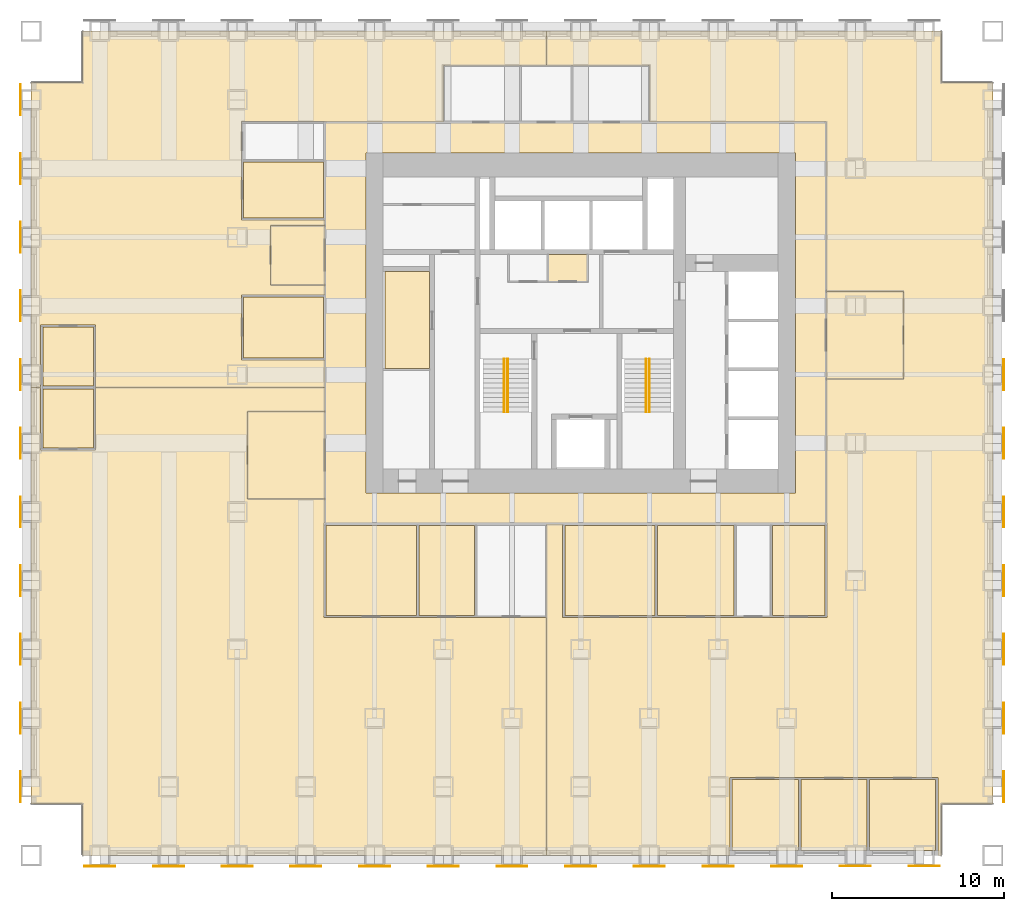
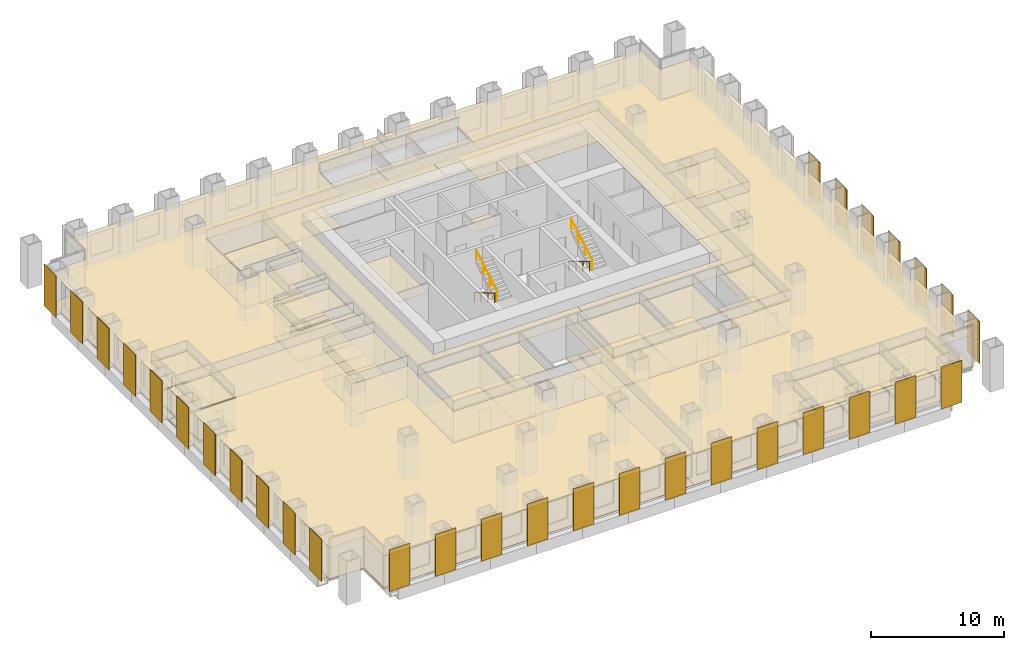
# One storey, part 14 of 15: 40 coverings, 31 shading devices, 4 railings.
"""IFC4 building model written with IfcOpenShell, lengths in metres."""

from ifc_helpers import new_model, si_unit, direction, frame, origin, origin_2d, place, context, subcontext, project, spatial, polyline, rectangle, circle, outline, extrude, material, layer, layer_set, type_object, element, save


model = new_model("IFC4")

# Units and contexts
model_context = context("Model", 3, precision=1e-05, world=origin(), true_north=direction((0.0, 1.0)))
body_context = subcontext(model_context, "Body", "Model", "MODEL_VIEW")
ifc_project = project(units=[si_unit("LENGTHUNIT", "METRE"), si_unit("AREAUNIT", "SQUARE_METRE"), si_unit("VOLUMEUNIT", "CUBIC_METRE"), si_unit("PLANEANGLEUNIT", "RADIAN"), si_unit("MASSUNIT", "GRAM", prefix="KILO")], contexts=[model_context])

# Site, building, storey
site_placement = place(None, origin())
site = spatial("IfcSite", under=ifc_project, at=site_placement, CompositionType="ELEMENT")
building_placement = place(site_placement, origin())
building = spatial("IfcBuilding", under=site, at=building_placement, Name="Rimbunsela Tower", CompositionType="ELEMENT")
storey_placement = place(building_placement, frame((0.0, 0.0, 35.0)))
storey = spatial("IfcBuildingStorey", under=building, at=storey_placement, Name="L08", CompositionType="ELEMENT", Elevation=35.0)

# Coverings
ifc_material_1 = material(Name="Nylon carpet tile", Category="textile")
ifc_layer_1 = layer(ifc_material_1, 0.010009765625)
ifc_layer_set_1 = layer_set([ifc_layer_1], Name="Carpet tile 10")
covering_type_1 = type_object("IfcCoveringType", Name="Carpet tile 10", PredefinedType="FLOORING", material=ifc_layer_set_1)
covering_1_placement = place(storey_placement, origin())
element("IfcCovering", 1, at=covering_1_placement, inside=storey, type_object=covering_type_1, Name="Floor finish Open office", PredefinedType="FLOORING", context=body_context, shape_type="SweptSolid", body=[
    extrude(outline(polyline([(20.550048828125, 9.85009765625), (23.85009765625, 9.85009765625), (23.949951171875, 9.85009765625), (27.9990234375, 9.85009765625), (27.9990234375, -4.0), (15.10009765625, -4.0), (1.0, -4.0), (1.0, -1.0), (-2.0, -1.0), (-2.0, 23.2490234375), (-1.449951171875, 23.2490234375), (-1.449951171875, 19.60009765625), (1.75, 19.60009765625), (1.75, 23.2490234375), (15.10009765625, 23.2490234375), (15.10009765625, 21.85009765625), (10.60009765625, 21.85009765625), (10.60009765625, 16.75), (15.10009765625, 16.75), (15.10009765625, 15.35009765625), (15.050048828125, 15.35009765625), (15.050048828125, 9.85009765625), (15.10009765625, 9.85009765625), (20.449951171875, 9.85009765625), (20.550048828125, 9.85009765625)])), origin(), (0.0, 0.0, 1.0), 0.010009765625),
])
covering_2_placement = place(storey_placement, origin())
element("IfcCovering", 2, at=covering_2_placement, inside=storey, type_object=covering_type_1, Name="Floor finish Open office", PredefinedType="FLOORING", context=body_context, shape_type="SweptSolid", body=[
    extrude(outline(polyline([(10.25, 36.5), (10.25, 36.39990234375), (10.25, 33.0), (15.10009765625, 33.0), (15.10009765625, 32.675048828125), (11.949951171875, 32.675048828125), (11.949951171875, 29.22509765625), (15.10009765625, 29.22509765625), (15.10009765625, 28.64990234375), (10.25, 28.64990234375), (10.25, 24.85009765625), (15.10009765625, 24.85009765625), (15.10009765625, 23.2509765625), (1.75, 23.2509765625), (1.75, 26.89990234375), (-1.449951171875, 26.89990234375), (-1.449951171875, 23.2509765625), (-2.0, 23.2509765625), (-2.0, 41.0), (1.0, 41.0), (1.0, 44.0), (15.10009765625, 44.0), (27.9990234375, 44.0), (27.9990234375, 42.0), (22.0, 42.0), (22.0, 38.699951171875), (15.14990234375, 38.699951171875), (15.14990234375, 38.75), (15.10009765625, 38.75), (10.25, 38.75), (10.25, 36.5)])), origin(), (0.0, 0.0, 1.0), 0.010009765625),
])
covering_3_placement = place(storey_placement, origin())
element("IfcCovering", 3, at=covering_3_placement, inside=storey, type_object=covering_type_1, Name="Floor finish Open office", PredefinedType="FLOORING", context=body_context, shape_type="SweptSolid", body=[
    extrude(outline(polyline([(42.699951171875, 0.550048828125), (38.699951171875, 0.550048828125), (38.699951171875, -4.0), (28.0009765625, -4.0), (28.0009765625, 15.300048828125), (28.948974609375, 15.300048828125), (28.948974609375, 9.85009765625), (34.34912109375, 9.85009765625), (34.448974609375, 9.85009765625), (38.948974609375, 9.85009765625), (39.049072265625, 9.85009765625), (41.049072265625, 9.85009765625), (41.14892578125, 9.85009765625), (44.300048828125, 9.85009765625), (44.35009765625, 9.85009765625), (44.35009765625, 15.35009765625), (44.300048828125, 15.35009765625), (44.300048828125, 23.75), (48.800048828125, 23.75), (48.800048828125, 28.85009765625), (44.300048828125, 28.85009765625), (44.300048828125, 38.699951171875), (34.0, 38.699951171875), (34.0, 42.0), (28.0009765625, 42.0), (28.0009765625, 44.0), (44.300048828125, 44.0), (51.0, 44.0), (51.0, 41.0), (54.0, 41.0), (54.0, -1.0), (51.0, -1.0), (51.0, -4.0), (50.800048828125, -4.0), (50.800048828125, 0.550048828125), (46.800048828125, 0.550048828125), (46.699951171875, 0.550048828125), (44.300048828125, 0.550048828125), (42.800048828125, 0.550048828125), (42.699951171875, 0.550048828125)])), origin(), (0.0, 0.0, 1.0), 0.010009765625),
])
covering_4_placement = place(storey_placement, origin())
element("IfcCovering", 4, at=covering_4_placement, inside=storey, type_object=covering_type_1, Name="Floor finish Reception", PredefinedType="FLOORING", context=body_context, shape_type="SweptSolid", body=[
    extrude(outline(polyline([(15.10009765625, 16.75), (15.10009765625, 21.85009765625), (10.60009765625, 21.85009765625), (10.60009765625, 16.75), (15.10009765625, 16.75)])), origin(), (0.0, 0.0, 1.0), 0.010009765625),
])
covering_5_placement = place(storey_placement, origin())
element("IfcCovering", 5, at=covering_5_placement, inside=storey, type_object=covering_type_1, Name="Floor finish Reception", PredefinedType="FLOORING", context=body_context, shape_type="SweptSolid", body=[
    extrude(outline(polyline([(15.10009765625, 29.22509765625), (15.10009765625, 32.675048828125), (11.949951171875, 32.675048828125), (11.949951171875, 29.22509765625), (15.10009765625, 29.22509765625)])), origin(), (0.0, 0.0, 1.0), 0.010009765625),
])
covering_6_placement = place(storey_placement, origin())
element("IfcCovering", 6, at=covering_6_placement, inside=storey, type_object=covering_type_1, Name="Floor finish Reception", PredefinedType="FLOORING", context=body_context, shape_type="SweptSolid", body=[
    extrude(outline(polyline([(48.800048828125, 23.75), (48.800048828125, 28.85009765625), (44.300048828125, 28.85009765625), (44.300048828125, 23.75), (48.800048828125, 23.75)])), origin(), (0.0, 0.0, 1.0), 0.010009765625),
])
covering_7_placement = place(storey_placement, origin())
element("IfcCovering", 7, at=covering_7_placement, inside=storey, type_object=covering_type_1, Name="Floor finish Executive office", PredefinedType="FLOORING", context=body_context, shape_type="SweptSolid", body=[
    extrude(outline(polyline([(42.675048828125, -3.699951171875), (42.675048828125, 0.425048828125), (38.824951171875, 0.425048828125), (38.824951171875, -3.699951171875), (42.675048828125, -3.699951171875)])), origin(), (0.0, 0.0, 1.0), 0.010009765625),
])
covering_8_placement = place(storey_placement, origin())
element("IfcCovering", 8, at=covering_8_placement, inside=storey, type_object=covering_type_1, Name="Floor finish Executive office", PredefinedType="FLOORING", context=body_context, shape_type="SweptSolid", body=[
    extrude(outline(polyline([(46.675048828125, -3.699951171875), (46.675048828125, 0.425048828125), (42.824951171875, 0.425048828125), (42.824951171875, -3.699951171875), (46.675048828125, -3.699951171875)])), origin(), (0.0, 0.0, 1.0), 0.010009765625),
])
covering_9_placement = place(storey_placement, origin())
element("IfcCovering", 9, at=covering_9_placement, inside=storey, type_object=covering_type_1, Name="Floor finish Executive office", PredefinedType="FLOORING", context=body_context, shape_type="SweptSolid", body=[
    extrude(outline(polyline([(50.675048828125, -3.699951171875), (50.675048828125, 0.425048828125), (46.824951171875, 0.425048828125), (46.824951171875, -3.699951171875), (50.675048828125, -3.699951171875)])), origin(), (0.0, 0.0, 1.0), 0.010009765625),
])
covering_10_placement = place(storey_placement, origin())
element("IfcCovering", 10, at=covering_10_placement, inside=storey, type_object=covering_type_1, Name="Floor finish Meeting room", PredefinedType="FLOORING", context=body_context, shape_type="SweptSolid", body=[
    extrude(outline(polyline([(20.425048828125, 9.97509765625), (20.425048828125, 15.22509765625), (15.175048828125, 15.22509765625), (15.175048828125, 9.97509765625), (20.425048828125, 9.97509765625)])), origin(), (0.0, 0.0, 1.0), 0.010009765625),
])
covering_11_placement = place(storey_placement, origin())
element("IfcCovering", 11, at=covering_11_placement, inside=storey, type_object=covering_type_1, Name="Floor finish Pantry", PredefinedType="FLOORING", context=body_context, shape_type="SweptSolid", body=[
    extrude(outline(polyline([(23.824951171875, 9.97509765625), (23.824951171875, 15.22509765625), (20.574951171875, 15.22509765625), (20.574951171875, 9.97509765625), (23.824951171875, 9.97509765625)])), origin(), (0.0, 0.0, 1.0), 0.010009765625),
])
covering_12_placement = place(storey_placement, origin())
element("IfcCovering", 12, at=covering_12_placement, inside=storey, type_object=covering_type_1, Name="Floor finish Pantry", PredefinedType="FLOORING", context=body_context, shape_type="SweptSolid", body=[
    extrude(outline(polyline([(15.02490234375, 33.125), (15.02490234375, 36.375), (10.375, 36.375), (10.375, 33.125), (15.02490234375, 33.125)])), origin(), (0.0, 0.0, 1.0), 0.010009765625),
])
covering_13_placement = place(storey_placement, origin())
element("IfcCovering", 13, at=covering_13_placement, inside=storey, type_object=covering_type_1, Name="Floor finish Meeting room", PredefinedType="FLOORING", context=body_context, shape_type="SweptSolid", body=[
    extrude(outline(polyline([(34.323974609375, 9.97509765625), (34.323974609375, 15.22509765625), (29.073974609375, 15.22509765625), (29.073974609375, 9.97509765625), (34.323974609375, 9.97509765625)])), origin(), (0.0, 0.0, 1.0), 0.010009765625),
])
covering_14_placement = place(storey_placement, origin())
element("IfcCovering", 14, at=covering_14_placement, inside=storey, type_object=covering_type_1, Name="Floor finish Pantry", PredefinedType="FLOORING", context=body_context, shape_type="SweptSolid", body=[
    extrude(outline(polyline([(38.924072265625, 9.97509765625), (38.924072265625, 15.22509765625), (34.47412109375, 15.22509765625), (34.47412109375, 9.97509765625), (38.924072265625, 9.97509765625)])), origin(), (0.0, 0.0, 1.0), 0.010009765625),
])
covering_15_placement = place(storey_placement, origin())
element("IfcCovering", 15, at=covering_15_placement, inside=storey, type_object=covering_type_1, Name="Floor finish Office", PredefinedType="FLOORING", context=body_context, shape_type="SweptSolid", body=[
    extrude(outline(polyline([(44.22509765625, 9.97509765625), (44.22509765625, 15.22509765625), (41.174072265625, 15.22509765625), (41.174072265625, 9.97509765625), (44.22509765625, 9.97509765625)])), origin(), (0.0, 0.0, 1.0), 0.010009765625),
])
covering_16_placement = place(storey_placement, origin())
element("IfcCovering", 16, at=covering_16_placement, inside=storey, type_object=covering_type_1, Name="Floor finish Office", PredefinedType="FLOORING", context=body_context, shape_type="SweptSolid", body=[
    extrude(outline(polyline([(1.625, 19.72509765625), (1.625, 23.175048828125), (-1.324951171875, 23.175048828125), (-1.324951171875, 19.72509765625), (1.625, 19.72509765625)])), origin(), (0.0, 0.0, 1.0), 0.010009765625),
])
covering_17_placement = place(storey_placement, origin())
element("IfcCovering", 17, at=covering_17_placement, inside=storey, type_object=covering_type_1, Name="Floor finish Meeting room", PredefinedType="FLOORING", context=body_context, shape_type="SweptSolid", body=[
    extrude(outline(polyline([(15.02490234375, 24.97509765625), (15.02490234375, 28.52490234375), (10.375, 28.52490234375), (10.375, 24.97509765625), (15.02490234375, 24.97509765625)])), origin(), (0.0, 0.0, 1.0), 0.010009765625),
])
covering_18_placement = place(storey_placement, origin())
element("IfcCovering", 18, at=covering_18_placement, inside=storey, type_object=covering_type_1, Name="Floor finish Office", PredefinedType="FLOORING", context=body_context, shape_type="SweptSolid", body=[
    extrude(outline(polyline([(1.625, 23.324951171875), (1.625, 26.77490234375), (-1.324951171875, 26.77490234375), (-1.324951171875, 23.324951171875), (1.625, 23.324951171875)])), origin(), (0.0, 0.0, 1.0), 0.010009765625),
])
ifc_material_2 = material(Name="Mineral fibre ceiling tile", Category="gypsum")
ifc_layer_2 = layer(ifc_material_2, 0.02001953125)
ifc_layer_set_2 = layer_set([ifc_layer_2], Name="Ceiling 600 grid")
covering_type_2 = type_object("IfcCoveringType", Name="Ceiling 600 grid", PredefinedType="CEILING", material=ifc_layer_set_2)
covering_19_placement = place(storey_placement, frame((0.0, 0.0, 2.89990234375)))
element("IfcCovering", 19, at=covering_19_placement, inside=storey, type_object=covering_type_2, Name="Ceiling IT room", PredefinedType="CEILING", context=body_context, shape_type="SweptSolid", body=[
    extrude(outline(polyline([(30.39990234375, 29.39990234375), (30.39990234375, 31.0), (28.10009765625, 31.0), (28.10009765625, 29.39990234375), (30.39990234375, 29.39990234375)])), origin(), (0.0, 0.0, 1.0), 0.02001953125),
])
covering_20_placement = place(storey_placement, frame((0.0, 0.0, 2.89990234375)))
element("IfcCovering", 20, at=covering_20_placement, inside=storey, type_object=covering_type_2, Name="Ceiling IT room", PredefinedType="CEILING", context=body_context, shape_type="SweptSolid", body=[
    extrude(outline(polyline([(21.199951171875, 24.35009765625), (21.199951171875, 30.0), (18.60009765625, 30.0), (18.60009765625, 24.35009765625), (21.199951171875, 24.35009765625)])), origin(), (0.0, 0.0, 1.0), 0.02001953125),
])
covering_21_placement = place(storey_placement, frame((0.0, 0.0, 2.89990234375)))
element("IfcCovering", 21, at=covering_21_placement, inside=storey, type_object=covering_type_2, Name="Ceiling Ring corridor", PredefinedType="CEILING", context=body_context, shape_type="SweptSolid", body=[
    extrude(outline(polyline([(15.10009765625, 38.699951171875), (30.0, 38.699951171875), (30.0, 36.89990234375), (17.5, 36.89990234375), (17.5, 17.10009765625), (30.0, 17.10009765625), (30.0, 15.300048828125), (15.10009765625, 15.300048828125), (15.10009765625, 38.699951171875)])), origin(), (0.0, 0.0, 1.0), 0.02001953125),
])
covering_22_placement = place(storey_placement, frame((0.0, 0.0, 2.89990234375)))
element("IfcCovering", 22, at=covering_22_placement, inside=storey, type_object=covering_type_2, Name="Ceiling Ring corridor", PredefinedType="CEILING", context=body_context, shape_type="SweptSolid", body=[
    extrude(outline(polyline([(44.300048828125, 38.699951171875), (44.300048828125, 15.300048828125), (30.0, 15.300048828125), (30.0, 17.10009765625), (42.5, 17.10009765625), (42.5, 36.89990234375), (30.0, 36.89990234375), (30.0, 38.699951171875), (44.300048828125, 38.699951171875)])), origin(), (0.0, 0.0, 1.0), 0.02001953125),
])
covering_23_placement = place(storey_placement, frame((0.0, 0.0, 2.89990234375)))
element("IfcCovering", 23, at=covering_23_placement, inside=storey, type_object=covering_type_2, Name="Ceiling Open office", PredefinedType="CEILING", context=body_context, shape_type="SweptSolid", body=[
    extrude(outline(polyline([(20.550048828125, 9.85009765625), (23.85009765625, 9.85009765625), (23.949951171875, 9.85009765625), (27.9990234375, 9.85009765625), (27.9990234375, -4.0), (15.10009765625, -4.0), (1.0, -4.0), (1.0, -1.0), (-2.0, -1.0), (-2.0, 23.2490234375), (-1.449951171875, 23.2490234375), (-1.449951171875, 19.60009765625), (1.75, 19.60009765625), (1.75, 23.2490234375), (15.10009765625, 23.2490234375), (15.10009765625, 21.85009765625), (10.60009765625, 21.85009765625), (10.60009765625, 16.75), (15.10009765625, 16.75), (15.10009765625, 15.35009765625), (15.050048828125, 15.35009765625), (15.050048828125, 9.85009765625), (15.10009765625, 9.85009765625), (20.449951171875, 9.85009765625), (20.550048828125, 9.85009765625)])), origin(), (0.0, 0.0, 1.0), 0.02001953125),
])
covering_24_placement = place(storey_placement, frame((0.0, 0.0, 2.89990234375)))
element("IfcCovering", 24, at=covering_24_placement, inside=storey, type_object=covering_type_2, Name="Ceiling Open office", PredefinedType="CEILING", context=body_context, shape_type="SweptSolid", body=[
    extrude(outline(polyline([(10.25, 36.5), (10.25, 36.39990234375), (10.25, 33.0), (15.10009765625, 33.0), (15.10009765625, 32.675048828125), (11.949951171875, 32.675048828125), (11.949951171875, 29.22509765625), (15.10009765625, 29.22509765625), (15.10009765625, 28.64990234375), (10.25, 28.64990234375), (10.25, 24.85009765625), (15.10009765625, 24.85009765625), (15.10009765625, 23.2509765625), (1.75, 23.2509765625), (1.75, 26.89990234375), (-1.449951171875, 26.89990234375), (-1.449951171875, 23.2509765625), (-2.0, 23.2509765625), (-2.0, 41.0), (1.0, 41.0), (1.0, 44.0), (15.10009765625, 44.0), (27.9990234375, 44.0), (27.9990234375, 42.0), (22.0, 42.0), (22.0, 38.699951171875), (15.14990234375, 38.699951171875), (15.14990234375, 38.75), (15.10009765625, 38.75), (10.25, 38.75), (10.25, 36.5)])), origin(), (0.0, 0.0, 1.0), 0.02001953125),
])
covering_25_placement = place(storey_placement, frame((0.0, 0.0, 2.89990234375)))
element("IfcCovering", 25, at=covering_25_placement, inside=storey, type_object=covering_type_2, Name="Ceiling Open office", PredefinedType="CEILING", context=body_context, shape_type="SweptSolid", body=[
    extrude(outline(polyline([(42.699951171875, 0.550048828125), (38.699951171875, 0.550048828125), (38.699951171875, -4.0), (28.0009765625, -4.0), (28.0009765625, 15.300048828125), (28.948974609375, 15.300048828125), (28.948974609375, 9.85009765625), (34.34912109375, 9.85009765625), (34.448974609375, 9.85009765625), (38.948974609375, 9.85009765625), (39.049072265625, 9.85009765625), (41.049072265625, 9.85009765625), (41.14892578125, 9.85009765625), (44.300048828125, 9.85009765625), (44.35009765625, 9.85009765625), (44.35009765625, 15.35009765625), (44.300048828125, 15.35009765625), (44.300048828125, 23.75), (48.800048828125, 23.75), (48.800048828125, 28.85009765625), (44.300048828125, 28.85009765625), (44.300048828125, 38.699951171875), (34.0, 38.699951171875), (34.0, 42.0), (28.0009765625, 42.0), (28.0009765625, 44.0), (44.300048828125, 44.0), (51.0, 44.0), (51.0, 41.0), (54.0, 41.0), (54.0, -1.0), (51.0, -1.0), (51.0, -4.0), (50.800048828125, -4.0), (50.800048828125, 0.550048828125), (46.800048828125, 0.550048828125), (46.699951171875, 0.550048828125), (44.300048828125, 0.550048828125), (42.800048828125, 0.550048828125), (42.699951171875, 0.550048828125)])), origin(), (0.0, 0.0, 1.0), 0.02001953125),
])
covering_26_placement = place(storey_placement, frame((0.0, 0.0, 2.89990234375)))
element("IfcCovering", 26, at=covering_26_placement, inside=storey, type_object=covering_type_2, Name="Ceiling Reception", PredefinedType="CEILING", context=body_context, shape_type="SweptSolid", body=[
    extrude(outline(polyline([(15.10009765625, 16.75), (15.10009765625, 21.85009765625), (10.60009765625, 21.85009765625), (10.60009765625, 16.75), (15.10009765625, 16.75)])), origin(), (0.0, 0.0, 1.0), 0.02001953125),
])
covering_27_placement = place(storey_placement, frame((0.0, 0.0, 2.89990234375)))
element("IfcCovering", 27, at=covering_27_placement, inside=storey, type_object=covering_type_2, Name="Ceiling Reception", PredefinedType="CEILING", context=body_context, shape_type="SweptSolid", body=[
    extrude(outline(polyline([(15.10009765625, 29.22509765625), (15.10009765625, 32.675048828125), (11.949951171875, 32.675048828125), (11.949951171875, 29.22509765625), (15.10009765625, 29.22509765625)])), origin(), (0.0, 0.0, 1.0), 0.02001953125),
])
covering_28_placement = place(storey_placement, frame((0.0, 0.0, 2.89990234375)))
element("IfcCovering", 28, at=covering_28_placement, inside=storey, type_object=covering_type_2, Name="Ceiling Reception", PredefinedType="CEILING", context=body_context, shape_type="SweptSolid", body=[
    extrude(outline(polyline([(48.800048828125, 23.75), (48.800048828125, 28.85009765625), (44.300048828125, 28.85009765625), (44.300048828125, 23.75), (48.800048828125, 23.75)])), origin(), (0.0, 0.0, 1.0), 0.02001953125),
])
covering_29_placement = place(storey_placement, frame((0.0, 0.0, 2.89990234375)))
element("IfcCovering", 29, at=covering_29_placement, inside=storey, type_object=covering_type_2, Name="Ceiling Executive office", PredefinedType="CEILING", context=body_context, shape_type="SweptSolid", body=[
    extrude(outline(polyline([(42.675048828125, -3.699951171875), (42.675048828125, 0.425048828125), (38.824951171875, 0.425048828125), (38.824951171875, -3.699951171875), (42.675048828125, -3.699951171875)])), origin(), (0.0, 0.0, 1.0), 0.02001953125),
])
covering_30_placement = place(storey_placement, frame((0.0, 0.0, 2.89990234375)))
element("IfcCovering", 30, at=covering_30_placement, inside=storey, type_object=covering_type_2, Name="Ceiling Executive office", PredefinedType="CEILING", context=body_context, shape_type="SweptSolid", body=[
    extrude(outline(polyline([(46.675048828125, -3.699951171875), (46.675048828125, 0.425048828125), (42.824951171875, 0.425048828125), (42.824951171875, -3.699951171875), (46.675048828125, -3.699951171875)])), origin(), (0.0, 0.0, 1.0), 0.02001953125),
])
covering_31_placement = place(storey_placement, frame((0.0, 0.0, 2.89990234375)))
element("IfcCovering", 31, at=covering_31_placement, inside=storey, type_object=covering_type_2, Name="Ceiling Executive office", PredefinedType="CEILING", context=body_context, shape_type="SweptSolid", body=[
    extrude(outline(polyline([(50.675048828125, -3.699951171875), (50.675048828125, 0.425048828125), (46.824951171875, 0.425048828125), (46.824951171875, -3.699951171875), (50.675048828125, -3.699951171875)])), origin(), (0.0, 0.0, 1.0), 0.02001953125),
])
covering_32_placement = place(storey_placement, frame((0.0, 0.0, 2.89990234375)))
element("IfcCovering", 32, at=covering_32_placement, inside=storey, type_object=covering_type_2, Name="Ceiling Meeting room", PredefinedType="CEILING", context=body_context, shape_type="SweptSolid", body=[
    extrude(outline(polyline([(20.425048828125, 9.97509765625), (20.425048828125, 15.22509765625), (15.175048828125, 15.22509765625), (15.175048828125, 9.97509765625), (20.425048828125, 9.97509765625)])), origin(), (0.0, 0.0, 1.0), 0.02001953125),
])
covering_33_placement = place(storey_placement, frame((0.0, 0.0, 2.89990234375)))
element("IfcCovering", 33, at=covering_33_placement, inside=storey, type_object=covering_type_2, Name="Ceiling Pantry", PredefinedType="CEILING", context=body_context, shape_type="SweptSolid", body=[
    extrude(outline(polyline([(23.824951171875, 9.97509765625), (23.824951171875, 15.22509765625), (20.574951171875, 15.22509765625), (20.574951171875, 9.97509765625), (23.824951171875, 9.97509765625)])), origin(), (0.0, 0.0, 1.0), 0.02001953125),
])
covering_34_placement = place(storey_placement, frame((0.0, 0.0, 2.89990234375)))
element("IfcCovering", 34, at=covering_34_placement, inside=storey, type_object=covering_type_2, Name="Ceiling Pantry", PredefinedType="CEILING", context=body_context, shape_type="SweptSolid", body=[
    extrude(outline(polyline([(15.02490234375, 33.125), (15.02490234375, 36.375), (10.375, 36.375), (10.375, 33.125), (15.02490234375, 33.125)])), origin(), (0.0, 0.0, 1.0), 0.02001953125),
])
covering_35_placement = place(storey_placement, frame((0.0, 0.0, 2.89990234375)))
element("IfcCovering", 35, at=covering_35_placement, inside=storey, type_object=covering_type_2, Name="Ceiling Meeting room", PredefinedType="CEILING", context=body_context, shape_type="SweptSolid", body=[
    extrude(outline(polyline([(34.323974609375, 9.97509765625), (34.323974609375, 15.22509765625), (29.073974609375, 15.22509765625), (29.073974609375, 9.97509765625), (34.323974609375, 9.97509765625)])), origin(), (0.0, 0.0, 1.0), 0.02001953125),
])
covering_36_placement = place(storey_placement, frame((0.0, 0.0, 2.89990234375)))
element("IfcCovering", 36, at=covering_36_placement, inside=storey, type_object=covering_type_2, Name="Ceiling Pantry", PredefinedType="CEILING", context=body_context, shape_type="SweptSolid", body=[
    extrude(outline(polyline([(38.924072265625, 9.97509765625), (38.924072265625, 15.22509765625), (34.47412109375, 15.22509765625), (34.47412109375, 9.97509765625), (38.924072265625, 9.97509765625)])), origin(), (0.0, 0.0, 1.0), 0.02001953125),
])
covering_37_placement = place(storey_placement, frame((0.0, 0.0, 2.89990234375)))
element("IfcCovering", 37, at=covering_37_placement, inside=storey, type_object=covering_type_2, Name="Ceiling Office", PredefinedType="CEILING", context=body_context, shape_type="SweptSolid", body=[
    extrude(outline(polyline([(44.22509765625, 9.97509765625), (44.22509765625, 15.22509765625), (41.174072265625, 15.22509765625), (41.174072265625, 9.97509765625), (44.22509765625, 9.97509765625)])), origin(), (0.0, 0.0, 1.0), 0.02001953125),
])
covering_38_placement = place(storey_placement, frame((0.0, 0.0, 2.89990234375)))
element("IfcCovering", 38, at=covering_38_placement, inside=storey, type_object=covering_type_2, Name="Ceiling Office", PredefinedType="CEILING", context=body_context, shape_type="SweptSolid", body=[
    extrude(outline(polyline([(1.625, 19.72509765625), (1.625, 23.175048828125), (-1.324951171875, 23.175048828125), (-1.324951171875, 19.72509765625), (1.625, 19.72509765625)])), origin(), (0.0, 0.0, 1.0), 0.02001953125),
])
covering_39_placement = place(storey_placement, frame((0.0, 0.0, 2.89990234375)))
element("IfcCovering", 39, at=covering_39_placement, inside=storey, type_object=covering_type_2, Name="Ceiling Meeting room", PredefinedType="CEILING", context=body_context, shape_type="SweptSolid", body=[
    extrude(outline(polyline([(15.02490234375, 24.97509765625), (15.02490234375, 28.52490234375), (10.375, 28.52490234375), (10.375, 24.97509765625), (15.02490234375, 24.97509765625)])), origin(), (0.0, 0.0, 1.0), 0.02001953125),
])
covering_40_placement = place(storey_placement, frame((0.0, 0.0, 2.89990234375)))
element("IfcCovering", 40, at=covering_40_placement, inside=storey, type_object=covering_type_2, Name="Ceiling Office", PredefinedType="CEILING", context=body_context, shape_type="SweptSolid", body=[
    extrude(outline(polyline([(1.625, 23.324951171875), (1.625, 26.77490234375), (-1.324951171875, 26.77490234375), (-1.324951171875, 23.324951171875), (1.625, 23.324951171875)])), origin(), (0.0, 0.0, 1.0), 0.02001953125),
])

# Shading devices
ifc_material_3 = material(Name="Perforated aluminium, 35 % open area", Category="aluminium")
ifc_layer_3 = layer(ifc_material_3, 0.050048828125)
ifc_layer_set_3 = layer_set([ifc_layer_3], Name="Solar screen panel 1800")
shading_device_type = type_object("IfcShadingDeviceType", Name="Solar screen panel 1800", PredefinedType="USERDEFINED", material=ifc_layer_set_3)
for number, where, z_axis, x_axis, name in (
    (41, (2.0, -4.625, 0.0), (0.0, 0.0, 1.0), (1.0, 0.0, 0.0), "Solar screen S L08"),
    (42, (6.0, -4.625, 0.0), (0.0, 0.0, 1.0), (1.0, 0.0, 0.0), "Solar screen S L08"),
    (43, (10.0, -4.625, 0.0), (0.0, 0.0, 1.0), (1.0, 0.0, 0.0), "Solar screen S L08"),
    (44, (14.0, -4.625, 0.0), (0.0, 0.0, 1.0), (1.0, 0.0, 0.0), "Solar screen S L08"),
    (45, (18.0, -4.625, 0.0), (0.0, 0.0, 1.0), (1.0, 0.0, 0.0), "Solar screen S L08"),
    (46, (22.0, -4.625, 0.0), (0.0, 0.0, 1.0), (1.0, 0.0, 0.0), "Solar screen S L08"),
    (47, (26.0, -4.625, 0.0), (0.0, 0.0, 1.0), (1.0, 0.0, 0.0), "Solar screen S L08"),
    (48, (30.0, -4.625, 0.0), (0.0, 0.0, 1.0), (1.0, 0.0, 0.0), "Solar screen S L08"),
    (49, (34.0, -4.625, 0.0), (0.0, 0.0, 1.0), (1.0, 0.0, 0.0), "Solar screen S L08"),
    (50, (38.0, -4.625, 0.0), (0.0, 0.0, 1.0), (1.0, 0.0, 0.0), "Solar screen S L08"),
    (51, (42.0, -4.625, 0.0), (0.0, 0.0, 1.0), (1.0, 0.0, 0.0), "Solar screen S L08"),
    (52, (46.0, -4.625, 0.0), (0.0, 0.0, 1.0), (1.0, 0.0, 0.0), "Solar screen S L08"),
    (53, (50.0, -4.625, 0.0), (0.0, 0.0, 1.0), (1.0, 0.0, 0.0), "Solar screen S L08"),
    (54, (54.625, 0.0, 0.0), (0.0, 0.0, 1.0), (0.0, 1.0, 0.0), "Solar screen E L08"),
    (55, (54.625, 4.0, 0.0), (0.0, 0.0, 1.0), (0.0, 1.0, 0.0), "Solar screen E L08"),
    (56, (54.625, 8.0, 0.0), (0.0, 0.0, 1.0), (0.0, 1.0, 0.0), "Solar screen E L08"),
    (57, (54.625, 12.0, 0.0), (0.0, 0.0, 1.0), (0.0, 1.0, 0.0), "Solar screen E L08"),
    (58, (54.625, 16.0, 0.0), (0.0, 0.0, 1.0), (0.0, 1.0, 0.0), "Solar screen E L08"),
    (59, (54.625, 20.0, 0.0), (0.0, 0.0, 1.0), (0.0, 1.0, 0.0), "Solar screen E L08"),
    (60, (54.625, 24.0, 0.0), (0.0, 0.0, 1.0), (0.0, 1.0, 0.0), "Solar screen E L08"),
    (61, (-2.625, 0.0, 0.0), (0.0, 0.0, 1.0), (0.0, 1.0, 0.0), "Solar screen W L08"),
    (62, (-2.625, 4.0, 0.0), (0.0, 0.0, 1.0), (0.0, 1.0, 0.0), "Solar screen W L08"),
    (63, (-2.625, 8.0, 0.0), (0.0, 0.0, 1.0), (0.0, 1.0, 0.0), "Solar screen W L08"),
    (64, (-2.625, 12.0, 0.0), (0.0, 0.0, 1.0), (0.0, 1.0, 0.0), "Solar screen W L08"),
    (65, (-2.625, 16.0, 0.0), (0.0, 0.0, 1.0), (0.0, 1.0, 0.0), "Solar screen W L08"),
    (66, (-2.625, 20.0, 0.0), (0.0, 0.0, 1.0), (0.0, 1.0, 0.0), "Solar screen W L08"),
    (67, (-2.625, 24.0, 0.0), (0.0, 0.0, 1.0), (0.0, 1.0, 0.0), "Solar screen W L08"),
    (68, (-2.625, 28.0, 0.0), (0.0, 0.0, 1.0), (0.0, 1.0, 0.0), "Solar screen W L08"),
    (69, (-2.625, 32.0, 0.0), (0.0, 0.0, 1.0), (0.0, 1.0, 0.0), "Solar screen W L08"),
    (70, (-2.625, 36.0, 0.0), (0.0, 0.0, 1.0), (0.0, 1.0, 0.0), "Solar screen W L08"),
    (71, (-2.625, 40.0, 0.0), (0.0, 0.0, 1.0), (0.0, 1.0, 0.0), "Solar screen W L08"),
):
    element("IfcShadingDevice", number, at=place(storey_placement, frame(where, z_axis=z_axis, x_axis=x_axis)), inside=storey, type_object=shading_device_type, Name=name, ObjectType="SCREEN", PredefinedType="USERDEFINED", context=body_context, shape_type="SweptSolid", body=[
        extrude(rectangle(XDim=1.800048828125, YDim=0.050048828125, at=origin_2d()), origin(), (0.0, 0.0, 1.0), 3.85009765625),
    ])

# Railings
ifc_material_4 = material(Name="Stainless steel tube", Category="steel")
railing_type = type_object("IfcRailingType", Name="Stair handrail 900", PredefinedType="HANDRAIL", material=ifc_material_4)
railing_1_placement = place(storey_placement, frame((25.550048828125, 24.89990234375, 0.166748046875)))
element("IfcRailing", 72, at=railing_1_placement, inside=storey, type_object=railing_type, Name="Handrail ST-A flight 1", PredefinedType="HANDRAIL", context=body_context, shape_type="SweptSolid", body=[
    extrude(circle(Radius=0.02392578125, at=origin_2d()), frame((0.0, 0.0, 0.8759765625), z_axis=(0.0, -0.859290745958, 0.51148745235), x_axis=(1.0, 0.0, 0.0)), (0.0, 0.0, 1.0), 3.584228515625),
    extrude(circle(Radius=0.02099609375, at=origin_2d()), origin(), (0.0, 0.0, 1.0), 0.851806640625),
    extrude(circle(Radius=0.02099609375, at=origin_2d()), frame((0.0, -1.026611328125, 0.611083984375)), (0.0, 0.0, 1.0), 0.851806640625),
    extrude(circle(Radius=0.02099609375, at=origin_2d()), frame((0.0, -2.05322265625, 1.22216796875)), (0.0, 0.0, 1.0), 0.851806640625),
    extrude(circle(Radius=0.02099609375, at=origin_2d()), frame((0.0, -3.079833984375, 1.833251953125)), (0.0, 0.0, 1.0), 0.851806640625),
])
railing_2_placement = place(storey_placement, frame((25.75, 21.820068359375, 2.166748046875)))
element("IfcRailing", 73, at=railing_2_placement, inside=storey, type_object=railing_type, Name="Handrail ST-A flight 2", PredefinedType="HANDRAIL", context=body_context, shape_type="SweptSolid", body=[
    extrude(circle(Radius=0.02392578125, at=origin_2d()), frame((0.0, 0.0, 0.8759765625), z_axis=(0.0, 0.859290745958, 0.51148745235), x_axis=(-1.0, 0.0, 0.0)), (0.0, 0.0, 1.0), 3.584228515625),
    extrude(circle(Radius=0.02099609375, at=origin_2d()), origin(), (0.0, 0.0, 1.0), 0.851806640625),
    extrude(circle(Radius=0.02099609375, at=origin_2d()), frame((0.0, 1.026611328125, 0.611083984375)), (0.0, 0.0, 1.0), 0.851806640625),
    extrude(circle(Radius=0.02099609375, at=origin_2d()), frame((0.0, 2.05322265625, 1.22216796875)), (0.0, 0.0, 1.0), 0.851806640625),
    extrude(circle(Radius=0.02099609375, at=origin_2d()), frame((0.0, 3.079833984375, 1.833251953125)), (0.0, 0.0, 1.0), 0.851806640625),
])
railing_3_placement = place(storey_placement, frame((33.800048828125, 24.89990234375, 0.166748046875)))
element("IfcRailing", 74, at=railing_3_placement, inside=storey, type_object=railing_type, Name="Handrail ST-B flight 1", PredefinedType="HANDRAIL", context=body_context, shape_type="SweptSolid", body=[
    extrude(circle(Radius=0.02392578125, at=origin_2d()), frame((0.0, 0.0, 0.8759765625), z_axis=(0.0, -0.859290745958, 0.51148745235), x_axis=(1.0, 0.0, 0.0)), (0.0, 0.0, 1.0), 3.584228515625),
    extrude(circle(Radius=0.02099609375, at=origin_2d()), origin(), (0.0, 0.0, 1.0), 0.851806640625),
    extrude(circle(Radius=0.02099609375, at=origin_2d()), frame((0.0, -1.026611328125, 0.611083984375)), (0.0, 0.0, 1.0), 0.851806640625),
    extrude(circle(Radius=0.02099609375, at=origin_2d()), frame((0.0, -2.05322265625, 1.22216796875)), (0.0, 0.0, 1.0), 0.851806640625),
    extrude(circle(Radius=0.02099609375, at=origin_2d()), frame((0.0, -3.079833984375, 1.833251953125)), (0.0, 0.0, 1.0), 0.851806640625),
])
railing_4_placement = place(storey_placement, frame((34.0, 21.820068359375, 2.166748046875)))
element("IfcRailing", 75, at=railing_4_placement, inside=storey, type_object=railing_type, Name="Handrail ST-B flight 2", PredefinedType="HANDRAIL", context=body_context, shape_type="SweptSolid", body=[
    extrude(circle(Radius=0.02392578125, at=origin_2d()), frame((0.0, 0.0, 0.8759765625), z_axis=(0.0, 0.859290745958, 0.51148745235), x_axis=(-1.0, 0.0, 0.0)), (0.0, 0.0, 1.0), 3.584228515625),
    extrude(circle(Radius=0.02099609375, at=origin_2d()), origin(), (0.0, 0.0, 1.0), 0.851806640625),
    extrude(circle(Radius=0.02099609375, at=origin_2d()), frame((0.0, 1.026611328125, 0.611083984375)), (0.0, 0.0, 1.0), 0.851806640625),
    extrude(circle(Radius=0.02099609375, at=origin_2d()), frame((0.0, 2.05322265625, 1.22216796875)), (0.0, 0.0, 1.0), 0.851806640625),
    extrude(circle(Radius=0.02099609375, at=origin_2d()), frame((0.0, 3.079833984375, 1.833251953125)), (0.0, 0.0, 1.0), 0.851806640625),
])

save(model, "model.ifc")
